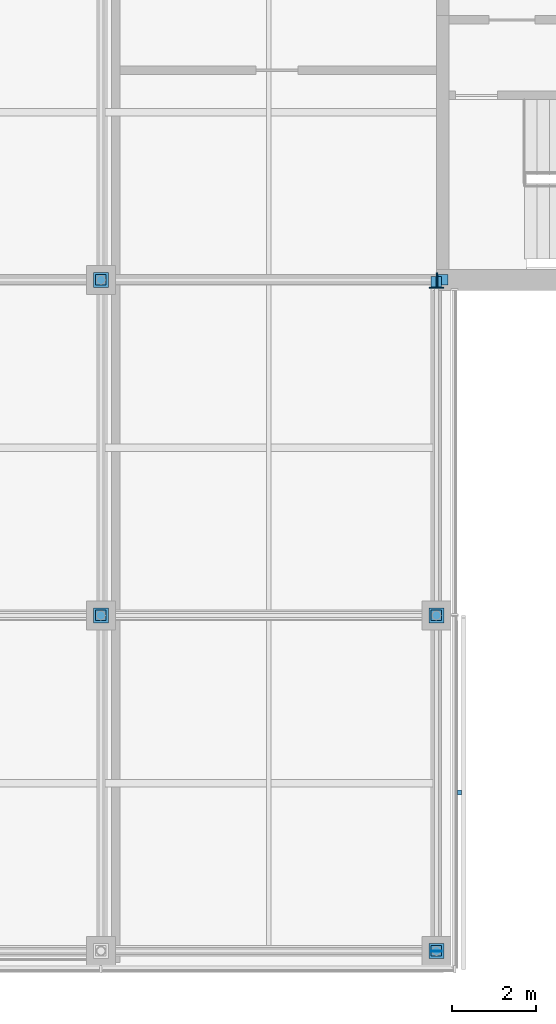
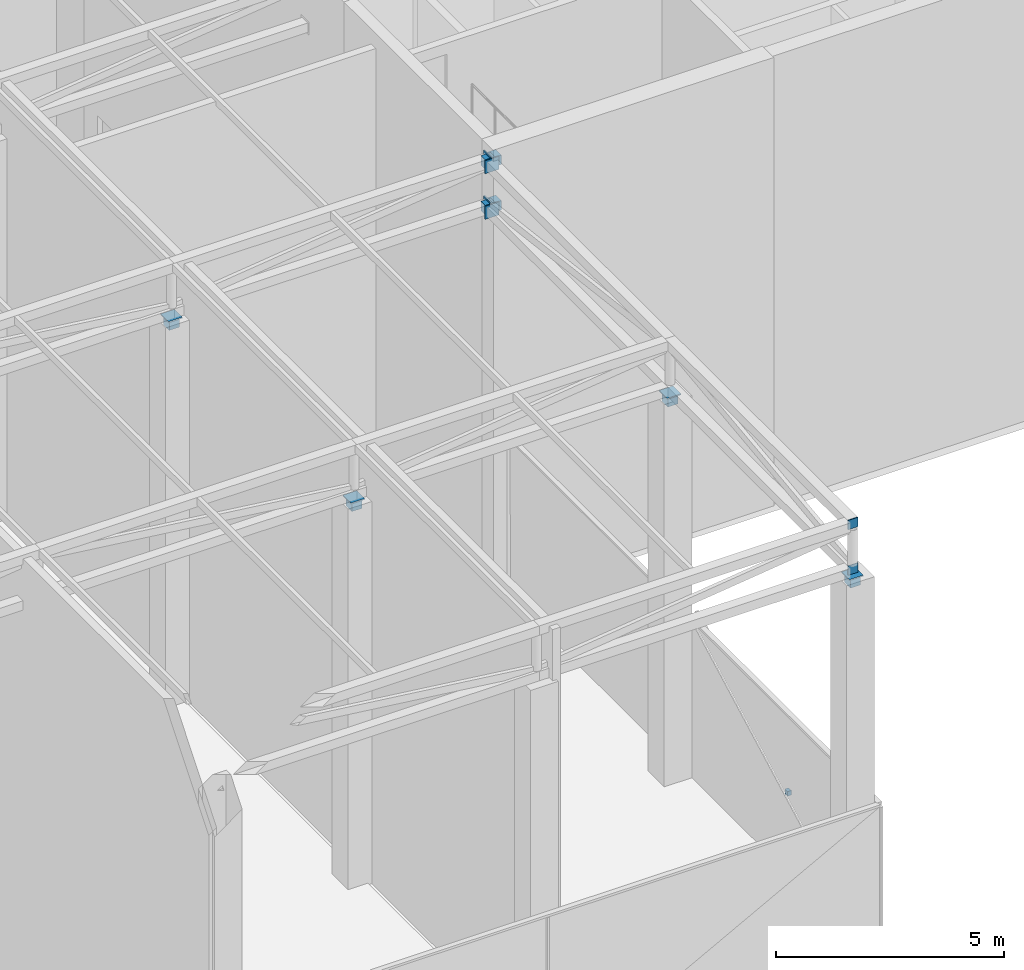
# One storey, part 17 of 23: 19 discrete accessories.
"""IFC4 building model written with IfcOpenShell, lengths in metres."""

from ifc_helpers import new_model, si_unit, direction, frame, origin, origin_2d, place, context, subcontext, project, spatial, rectangle, extrude, material, layer, layer_set, type_object, element, save


model = new_model("IFC4")

# Units and contexts
model_context = context("Model", 3, precision=1e-05, world=origin(), true_north=direction((0.0, 1.0)))
body_context = subcontext(model_context, "Body", "Model", "MODEL_VIEW")
ifc_project = project(units=[si_unit("LENGTHUNIT", "METRE"), si_unit("AREAUNIT", "SQUARE_METRE"), si_unit("VOLUMEUNIT", "CUBIC_METRE"), si_unit("PLANEANGLEUNIT", "RADIAN"), si_unit("MASSUNIT", "GRAM", prefix="KILO")], contexts=[model_context])

# Site, building, storey
site_placement = place(None, origin())
site = spatial("IfcSite", under=ifc_project, at=site_placement, CompositionType="ELEMENT")
building_placement = place(site_placement, origin())
building = spatial("IfcBuilding", under=site, at=building_placement, Name="Crosswind Convention Tower", CompositionType="ELEMENT")
storey_placement = place(building_placement, frame((0.0, 0.0, 349.10009765625)))
storey = spatial("IfcBuildingStorey", under=building, at=storey_placement, Name="L76", CompositionType="ELEMENT", Elevation=349.10009765625)

# Discrete accessories
ifc_material_1 = material(Name="Stainless steel", Category="steel")
discrete_accessory_type_1 = type_object("IfcDiscreteAccessoryType", Name="BAGUETTE BRACKET BK5", PredefinedType="BRACKET", material=ifc_material_1)
discrete_accessory_placement = place(storey_placement, frame((137.552001953125, 75.780029296875, 1.8349609375), z_axis=(0.0, 0.0, 1.0), x_axis=(0.0, 1.0, 0.0)))
element("IfcDiscreteAccessory", 1, at=discrete_accessory_placement, inside=storey, type_object=discrete_accessory_type_1, Name="BK5 baguette bracket", PredefinedType="BRACKET", context=body_context, shape_type="SweptSolid", body=[
    extrude(rectangle(XDim=0.1201171875, YDim=0.10009765625, at=origin_2d()), origin(), (0.0, 0.0, 1.0), 0.1201171875),
])
ifc_material_2 = material(Name="Steel S355", Category="steel")
ifc_layer_1 = layer(ifc_material_2, 0.030029296875)
ifc_layer_set_1 = layer_set([ifc_layer_1], Name="Steel S355")
discrete_accessory_type_2 = type_object("IfcDiscreteAccessoryType", Name="Cast-in plate 350 x 350 x 30", PredefinedType="ANCHORPLATE", material=ifc_layer_set_1)
for number, where, z_axis, x_axis, name in (
    (2, (137.014892578125, 88.0, 10.179931640625), (0.0, 0.0, 1.0), (1.0, 0.0, 0.0), "EP5 L76 cast-in plate"),
    (3, (137.014892578125, 88.0, 11.39990234375), (0.0, 0.0, 1.0), (1.0, 0.0, 0.0), "EP5 L76 cast-in plate"),
):
    element("IfcDiscreteAccessory", number, at=place(storey_placement, frame(where, z_axis=z_axis, x_axis=x_axis)), inside=storey, type_object=discrete_accessory_type_2, Name=name, PredefinedType="ANCHORPLATE", context=body_context, shape_type="SweptSolid", body=[
        extrude(rectangle(XDim=0.030029296875, YDim=0.35009765625, at=origin_2d()), origin(), (0.0, 0.0, 1.0), 0.35009765625),
    ])
for number, where, z_axis, x_axis, name in (
    (4, (137.0, 87.81494140625, 10.179931640625), (0.0, 0.0, 1.0), (1.0, 0.0, 0.0), "EP5 L76 cast-in plate"),
    (5, (137.0, 87.81494140625, 11.39990234375), (0.0, 0.0, 1.0), (1.0, 0.0, 0.0), "EP5 L76 cast-in plate"),
):
    element("IfcDiscreteAccessory", number, at=place(storey_placement, frame(where, z_axis=z_axis, x_axis=x_axis)), inside=storey, type_object=discrete_accessory_type_2, Name=name, PredefinedType="ANCHORPLATE", context=body_context, shape_type="SweptSolid", body=[
        extrude(rectangle(XDim=0.35009765625, YDim=0.030029296875, at=origin_2d()), origin(), (0.0, 0.0, 1.0), 0.35009765625),
    ])
for number, where, z_axis, x_axis, name in (
    (6, (129.0, 80.0, 10.19970703125), (0.0, 0.0, 1.0), (1.0, 0.0, 0.0), "EP5 L76 cast-in plate on column head"),
    (7, (129.0, 88.0, 10.19970703125), (0.0, 0.0, 1.0), (1.0, 0.0, 0.0), "EP5 L76 cast-in plate on column head"),
    (8, (137.0, 72.0, 10.19970703125), (0.0, 0.0, 1.0), (1.0, 0.0, 0.0), "EP5 L76 cast-in plate on column head"),
    (9, (137.0, 80.0, 10.19970703125), (0.0, 0.0, 1.0), (1.0, 0.0, 0.0), "EP5 L76 cast-in plate on column head"),
):
    element("IfcDiscreteAccessory", number, at=place(storey_placement, frame(where, z_axis=z_axis, x_axis=x_axis)), inside=storey, type_object=discrete_accessory_type_2, Name=name, PredefinedType="ANCHORPLATE", context=body_context, shape_type="SweptSolid", body=[
        extrude(rectangle(XDim=0.35009765625, YDim=0.35009765625, at=origin_2d()), origin(), (0.0, 0.0, 1.0), 0.030029296875),
    ])
ifc_layer_2 = layer(ifc_material_2, 0.02001953125)
ifc_layer_set_2 = layer_set([ifc_layer_2], Name="Steel S355")
discrete_accessory_type_3 = type_object("IfcDiscreteAccessoryType", Name="End cap plate 250 x 250 x 20", PredefinedType="USERDEFINED", material=ifc_layer_set_2)
for number, where, z_axis, x_axis, name in (
    (10, (137.0, 71.989990234375, 10.22998046875), (0.0, 0.0, 1.0), (1.0, 0.0, 0.0), "EC1 L76 roof truss 12 chord end cap plate"),
    (11, (137.0, 71.989990234375, 11.449951171875), (0.0, 0.0, 1.0), (1.0, 0.0, 0.0), "EC1 L76 roof truss 12 chord end cap plate"),
):
    element("IfcDiscreteAccessory", number, at=place(storey_placement, frame(where, z_axis=z_axis, x_axis=x_axis)), inside=storey, type_object=discrete_accessory_type_3, Name=name, ObjectType="END CAP PLATE", PredefinedType="USERDEFINED", context=body_context, shape_type="SweptSolid", body=[
        extrude(rectangle(XDim=0.25, YDim=0.02001953125, at=origin_2d()), origin(), (0.0, 0.0, 1.0), 0.25),
    ])
discrete_accessory_type_4 = type_object("IfcDiscreteAccessoryType", Name="Headed stud group 250 x 250 x 250", PredefinedType="USERDEFINED", material=ifc_material_2)
for number, where, z_axis, x_axis, name in (
    (12, (137.155029296875, 88.0, 10.22998046875), (0.0, 0.0, 1.0), (1.0, 0.0, 0.0), "AB5 L76 headed stud group"),
    (13, (137.155029296875, 88.0, 11.449951171875), (0.0, 0.0, 1.0), (1.0, 0.0, 0.0), "AB5 L76 headed stud group"),
    (14, (137.0, 87.955078125, 10.22998046875), (0.0, 0.0, 1.0), (1.0, 0.0, 0.0), "AB5 L76 headed stud group"),
    (15, (137.0, 87.955078125, 11.449951171875), (0.0, 0.0, 1.0), (1.0, 0.0, 0.0), "AB5 L76 headed stud group"),
    (16, (129.0, 80.0, 9.949951171875), (0.0, 0.0, 1.0), (1.0, 0.0, 0.0), "AB5 L76 headed stud group in column head"),
    (17, (129.0, 88.0, 9.949951171875), (0.0, 0.0, 1.0), (1.0, 0.0, 0.0), "AB5 L76 headed stud group in column head"),
    (18, (137.0, 72.0, 9.949951171875), (0.0, 0.0, 1.0), (1.0, 0.0, 0.0), "AB5 L76 headed stud group in column head"),
    (19, (137.0, 80.0, 9.949951171875), (0.0, 0.0, 1.0), (1.0, 0.0, 0.0), "AB5 L76 headed stud group in column head"),
):
    element("IfcDiscreteAccessory", number, at=place(storey_placement, frame(where, z_axis=z_axis, x_axis=x_axis)), inside=storey, type_object=discrete_accessory_type_4, Name=name, ObjectType="HEADED STUD GROUP", PredefinedType="USERDEFINED", context=body_context, shape_type="SweptSolid", body=[
        extrude(rectangle(XDim=0.25, YDim=0.25, at=origin_2d()), origin(), (0.0, 0.0, 1.0), 0.25),
    ])

save(model, "model.ifc")
